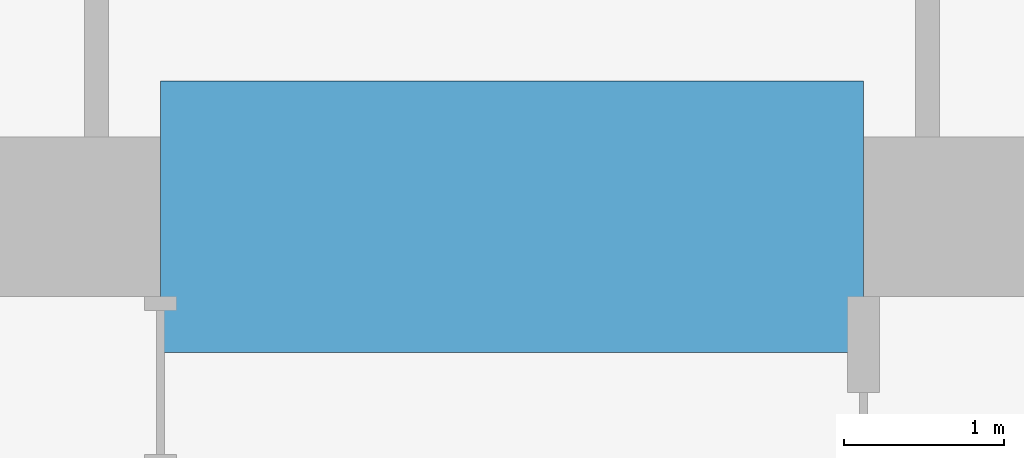
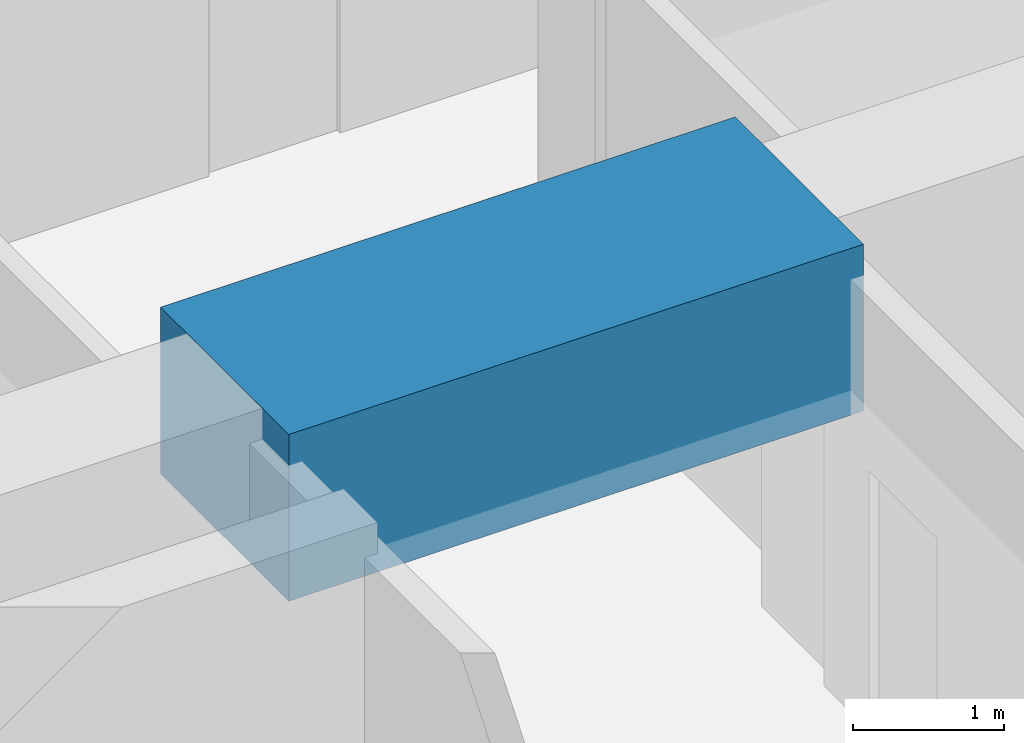
# One storey, part 18 of 39: 1 beam.
"""IFC4 building model written with IfcOpenShell, lengths in metres."""

from ifc_helpers import new_model, si_unit, direction, frame, origin, origin_2d, place, context, subcontext, project, spatial, rectangle, extrude, material, material_profile, profile_set, type_object, element, save


model = new_model("IFC4")

# Units and contexts
model_context = context("Model", 3, precision=1e-05, world=origin(), true_north=direction((0.0, 1.0)))
body_context = subcontext(model_context, "Body", "Model", "MODEL_VIEW")
ifc_project = project(units=[si_unit("LENGTHUNIT", "METRE"), si_unit("AREAUNIT", "SQUARE_METRE"), si_unit("VOLUMEUNIT", "CUBIC_METRE"), si_unit("PLANEANGLEUNIT", "RADIAN"), si_unit("MASSUNIT", "GRAM", prefix="KILO")], contexts=[model_context])

# Site, building, storey
site_placement = place(None, origin())
site = spatial("IfcSite", under=ifc_project, at=site_placement, CompositionType="ELEMENT")
building_placement = place(site_placement, origin())
building = spatial("IfcBuilding", under=site, at=building_placement, Name="Rekha Terrace Tower", CompositionType="ELEMENT")
storey_placement = place(building_placement, frame((0.0, 0.0, 151.550048828125)))
storey = spatial("IfcBuildingStorey", under=building, at=storey_placement, Name="L38", CompositionType="ELEMENT", Elevation=151.550048828125)

# Beam
ifc_material = material(Name="Concrete M70", Category="concrete")
ifc_material_profile = material_profile(ifc_material, rectangle(XDim=1.699951171875, YDim=1.35009765625, at=origin_2d()), Name="RC 1700x1350")
ifc_profile_set = profile_set([ifc_material_profile], Name="Concrete M70")
beam_type = type_object("IfcBeamType", Name="LB2A 1700x1350 diagonally reinforced coupling beam", PredefinedType="LINTEL", material=ifc_profile_set)
beam_placement = place(storey_placement, frame((35.60009765625, 46.199951171875, 3.074951171875), z_axis=(1.0, 0.0, 0.0), x_axis=(0.0, 1.0, 0.0)))
element("IfcBeam", 1, at=beam_placement, inside=storey, type_object=beam_type, Name="Coupling beam LB2A N L38", PredefinedType="LINTEL", context=body_context, shape_type="SweptSolid", body=[
    extrude(rectangle(XDim=1.699951171875, YDim=1.35009765625, at=origin_2d()), origin(), (0.0, 0.0, 1.0), 4.39990234375),
])

save(model, "model.ifc")
